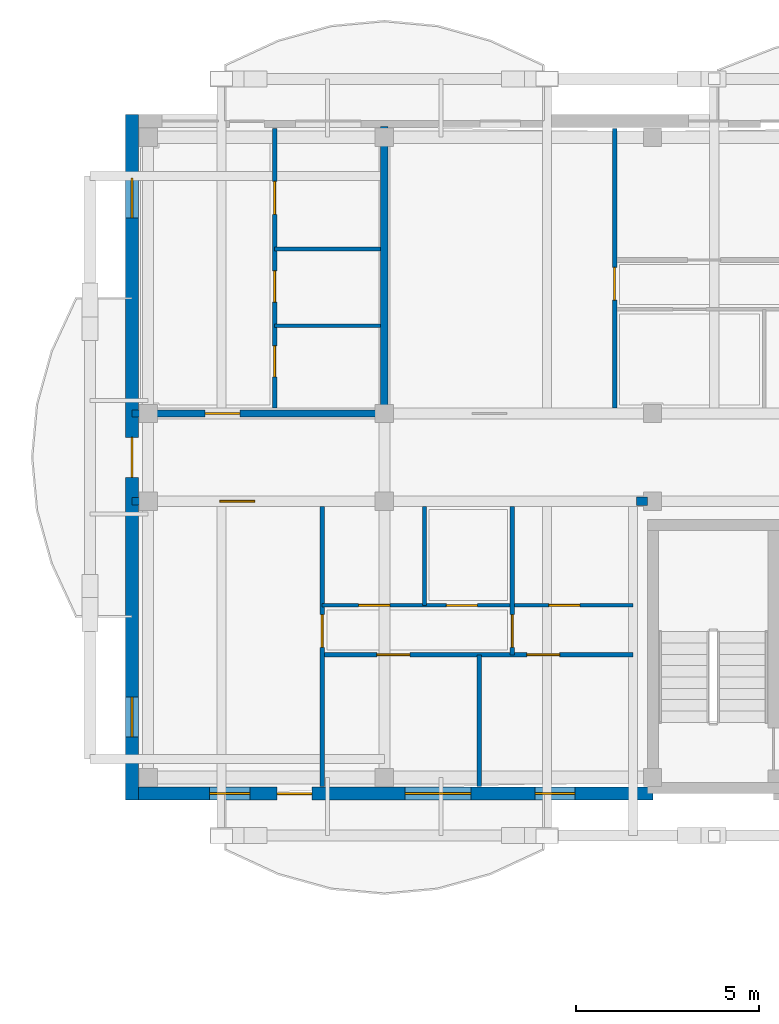
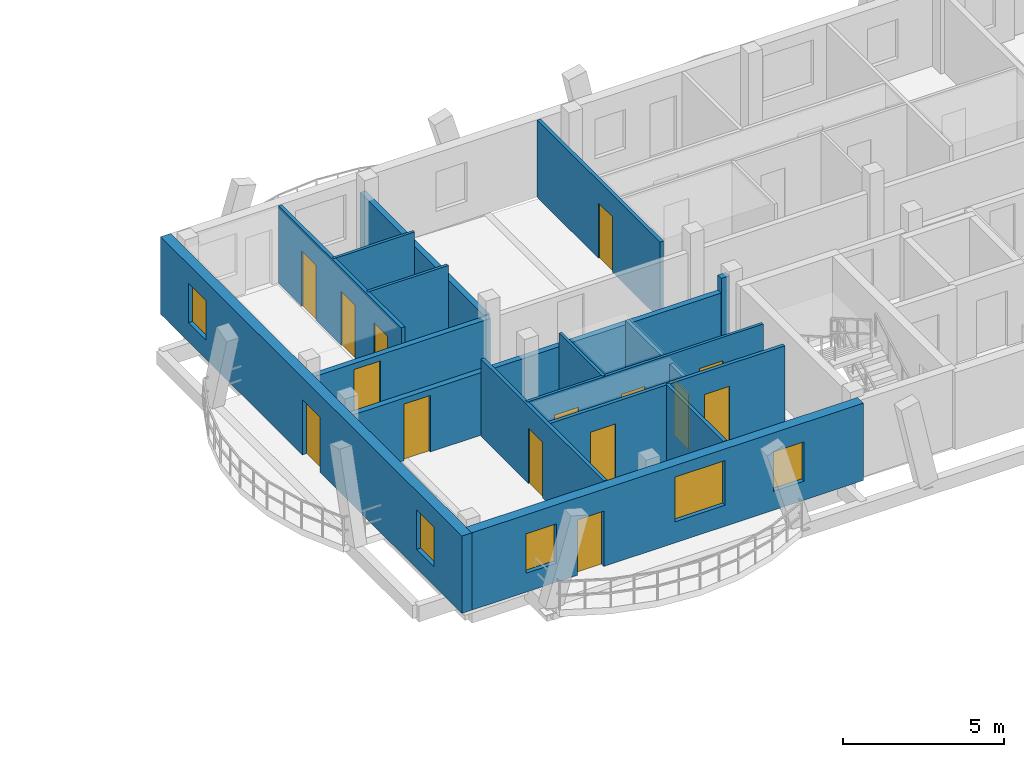
# One storey, part 29 of 50: 16 walls, 15 doors, 5 windows, 20 openings.
"""IFC4 building model written with IfcOpenShell, lengths in metres."""

from ifc_helpers import new_model, si_unit, direction, frame, frame_2d, origin, origin_with_axes, place, context, subcontext, project, spatial, rectangle, extrude, material, layer, layer_set, type_object, element, fill, save


model = new_model("IFC4")

# Units and contexts
model_context = context("Model", 3, precision=1e-05, world=origin(), true_north=direction((0.0, 1.0)))
body_context = subcontext(model_context, "Body", "Model", "MODEL_VIEW")
ifc_project = project(units=[si_unit("LENGTHUNIT", "METRE"), si_unit("AREAUNIT", "SQUARE_METRE"), si_unit("VOLUMEUNIT", "CUBIC_METRE"), si_unit("PLANEANGLEUNIT", "RADIAN"), si_unit("MASSUNIT", "GRAM", prefix="KILO")], contexts=[model_context])

# Site, building, storey
site_placement = place(None, origin())
site = spatial("IfcSite", under=ifc_project, at=site_placement, CompositionType="ELEMENT")
building_placement = place(site_placement, origin())
building = spatial("IfcBuilding", under=site, at=building_placement, Name="Zavelmont Quarter", CompositionType="ELEMENT")
storey_placement = place(building_placement, frame((0.0, 0.0, 11.199951171875)))
storey = spatial("IfcBuildingStorey", under=building, at=storey_placement, Name="L03", CompositionType="ELEMENT", Elevation=11.199951171875)

# Wall, openings, door, windows
ifc_material_1 = material(Name="Natural Belgian limestone", Category="masonry")
ifc_layer_1 = layer(ifc_material_1, 0.360107421875)
ifc_layer_set_1 = layer_set([ifc_layer_1], Name="Natural Belgian limestone")
wall_type_1 = type_object("IfcWallType", Name="EW02", PredefinedType="STANDARD", material=ifc_layer_set_1)
wall_1_placement = place(storey_placement, frame((112.969970703125, 97.60009765625, 0.0), z_axis=(0.0, 0.0, 1.0), x_axis=(1.0, 0.0, 0.0)))
wall_1 = element("IfcWall", 1, at=wall_1_placement, inside=storey, type_object=wall_type_1, Name="L03 exterior limestone wall EW02", PredefinedType="STANDARD", context=body_context, shape_type="SweptSolid", body=[
    extrude(rectangle(XDim=14.080078125, YDim=0.360107421875, at=frame_2d((7.0400390625, 0.0))), origin(), (0.0, 0.0, 1.0), 2.93994140625),
])
opening_1_placement = place(wall_1_placement, frame((3.797119140625, 0.0, 0.0)))
opening_1 = element("IfcOpeningElement", 2, at=opening_1_placement, cuts=wall_1, Name="Opening DR04", PredefinedType="OPENING", context=body_context, shape_type="SweptSolid", body=[
    extrude(rectangle(XDim=0.949951171875, YDim=2.10009765625, at=frame_2d((0.47509765625, 1.050048828125))), frame((0.0, 0.19189453125, 0.0), z_axis=(0.0, -1.0, 0.0), x_axis=(1.0, 0.0, 0.0)), (0.0, 0.0, 1.0), 0.384033203125),
])
opening_2_placement = place(wall_1_placement, frame((1.949951171875, 0.0, 0.719970703125)))
opening_2 = element("IfcOpeningElement", 3, at=opening_2_placement, cuts=wall_1, Name="Opening WN09", PredefinedType="OPENING", context=body_context, shape_type="SweptSolid", body=[
    extrude(rectangle(XDim=1.10009765625, YDim=1.5, at=frame_2d((0.550048828125, 0.75))), frame((0.0, 0.19189453125, 0.0), z_axis=(0.0, -1.0, 0.0), x_axis=(1.0, 0.0, 0.0)), (0.0, 0.0, 1.0), 0.384033203125),
])
opening_3_placement = place(wall_1_placement, frame((7.300048828125, 0.0, 0.800048828125)))
opening_3 = element("IfcOpeningElement", 4, at=opening_3_placement, cuts=wall_1, Name="Opening WN02", PredefinedType="OPENING", context=body_context, shape_type="SweptSolid", body=[
    extrude(rectangle(XDim=1.800048828125, YDim=1.699951171875, at=frame_2d((0.89990234375, 0.85009765625))), frame((0.0, 0.19189453125, 0.0), z_axis=(0.0, -1.0, 0.0), x_axis=(1.0, 0.0, 0.0)), (0.0, 0.0, 1.0), 0.384033203125),
])
opening_4_placement = place(wall_1_placement, frame((10.85009765625, 0.0, 0.719970703125)))
opening_4 = element("IfcOpeningElement", 5, at=opening_4_placement, cuts=wall_1, Name="Opening WN09", PredefinedType="OPENING", context=body_context, shape_type="SweptSolid", body=[
    extrude(rectangle(XDim=1.10009765625, YDim=1.5, at=frame_2d((0.550048828125, 0.75))), frame((0.0, 0.19189453125, 0.0), z_axis=(0.0, -1.0, 0.0), x_axis=(1.0, 0.0, 0.0)), (0.0, 0.0, 1.0), 0.384033203125),
])
ifc_material_2 = material(Name="Thermally broken aluminium and double safety glass", Category="aluminium")
door_type_1 = type_object("IfcDoorType", Name="DR04", OperationType="NOTDEFINED", PredefinedType="DOOR", material=ifc_material_2)
door_1_placement = place(opening_1_placement, origin_with_axes())
door_1 = element("IfcDoor", 6, at=door_1_placement, inside=storey, type_object=door_type_1, Name="Block C L03 glazed balcony door", OperationType="SINGLE_SWING_RIGHT", OverallHeight=2.10009765625, OverallWidth=0.949951171875, PredefinedType="DOOR", context=body_context, shape_type="SweptSolid", body=[
    extrude(rectangle(XDim=0.949951171875, YDim=2.10009765625, at=frame_2d((0.47509765625, 1.050048828125))), frame((0.0, 0.02490234375, 0.0), z_axis=(0.0, -1.0, 0.0), x_axis=(1.0, 0.0, 0.0)), (0.0, 0.0, 1.0), 0.050048828125),
])
fill(opening_1, door_1)
ifc_material_3 = material(Name="Double low-E insulated glazing in thermally broken aluminium frame", Category="aluminium")
window_type_1 = type_object("IfcWindowType", Name="WN02", PartitioningType="SINGLE_PANEL", PredefinedType="WINDOW", material=ifc_material_3)
window_1_placement = place(opening_3_placement, origin_with_axes())
window_1 = element("IfcWindow", 7, at=window_1_placement, inside=storey, type_object=window_type_1, Name="L03 window WN02", OverallHeight=1.699951171875, OverallWidth=1.800048828125, PartitioningType="SINGLE_PANEL", PredefinedType="WINDOW", context=body_context, shape_type="SweptSolid", body=[
    extrude(rectangle(XDim=1.800048828125, YDim=1.699951171875, at=frame_2d((0.89990234375, 0.85009765625))), frame((0.0, 0.030029296875, 0.0), z_axis=(0.0, -1.0, 0.0), x_axis=(1.0, 0.0, 0.0)), (0.0, 0.0, 1.0), 0.06005859375),
])
fill(opening_3, window_1)
window_type_2 = type_object("IfcWindowType", Name="WN09", PartitioningType="SINGLE_PANEL", PredefinedType="WINDOW", material=ifc_material_3)
window_2_placement = place(opening_2_placement, origin_with_axes())
window_2 = element("IfcWindow", 8, at=window_2_placement, inside=storey, type_object=window_type_2, Name="L03 window WN09", OverallHeight=1.5, OverallWidth=1.10009765625, PartitioningType="SINGLE_PANEL", PredefinedType="WINDOW", context=body_context, shape_type="SweptSolid", body=[
    extrude(rectangle(XDim=1.10009765625, YDim=1.5, at=frame_2d((0.550048828125, 0.75))), frame((0.0, 0.030029296875, 0.0), z_axis=(0.0, -1.0, 0.0), x_axis=(1.0, 0.0, 0.0)), (0.0, 0.0, 1.0), 0.06005859375),
])
fill(opening_2, window_2)
window_3_placement = place(opening_4_placement, origin_with_axes())
window_3 = element("IfcWindow", 9, at=window_3_placement, inside=storey, type_object=window_type_2, Name="L03 window WN09", OverallHeight=1.5, OverallWidth=1.10009765625, PartitioningType="SINGLE_PANEL", PredefinedType="WINDOW", context=body_context, shape_type="SweptSolid", body=[
    extrude(rectangle(XDim=1.10009765625, YDim=1.5, at=frame_2d((0.550048828125, 0.75))), frame((0.0, 0.030029296875, 0.0), z_axis=(0.0, -1.0, 0.0), x_axis=(1.0, 0.0, 0.0)), (0.0, 0.0, 1.0), 0.06005859375),
])
fill(opening_4, window_3)

wall_2_placement = place(storey_placement, frame((112.800048828125, 97.419921875, 0.0), z_axis=(0.0, 0.0, 1.0), x_axis=(0.0, 1.0, 0.0)))
wall_2 = element("IfcWall", 10, at=wall_2_placement, inside=storey, type_object=wall_type_1, Name="L03 exterior limestone wall EW02", PredefinedType="STANDARD", context=body_context, shape_type="SweptSolid", body=[
    extrude(rectangle(XDim=18.760009765625, YDim=0.360107421875, at=frame_2d((9.3798828125, 0.0))), origin(), (0.0, 0.0, 1.0), 2.93994140625),
])
opening_5_placement = place(wall_2_placement, frame((8.830078125, 0.0, 0.0)))
opening_5 = element("IfcOpeningElement", 11, at=opening_5_placement, cuts=wall_2, Name="Opening DR04B", PredefinedType="OPENING", context=body_context, shape_type="SweptSolid", body=[
    extrude(rectangle(XDim=1.10009765625, YDim=2.10009765625, at=frame_2d((0.550048828125, 1.050048828125))), frame((0.0, 0.19189453125, 0.0), z_axis=(0.0, -1.0, 0.0), x_axis=(1.0, 0.0, 0.0)), (0.0, 0.0, 1.0), 0.384033203125),
])
opening_6_placement = place(wall_2_placement, frame((1.72998046875, 0.0, 0.719970703125)))
opening_6 = element("IfcOpeningElement", 12, at=opening_6_placement, cuts=wall_2, Name="Opening WN09", PredefinedType="OPENING", context=body_context, shape_type="SweptSolid", body=[
    extrude(rectangle(XDim=1.10009765625, YDim=1.5, at=frame_2d((0.550048828125, 0.75))), frame((0.0, 0.19189453125, 0.0), z_axis=(0.0, -1.0, 0.0), x_axis=(1.0, 0.0, 0.0)), (0.0, 0.0, 1.0), 0.384033203125),
])
opening_7_placement = place(wall_2_placement, frame((15.929931640625, 0.0, 0.719970703125)))
opening_7 = element("IfcOpeningElement", 13, at=opening_7_placement, cuts=wall_2, Name="Opening WN09", PredefinedType="OPENING", context=body_context, shape_type="SweptSolid", body=[
    extrude(rectangle(XDim=1.10009765625, YDim=1.5, at=frame_2d((0.550048828125, 0.75))), frame((0.0, 0.19189453125, 0.0), z_axis=(0.0, -1.0, 0.0), x_axis=(1.0, 0.0, 0.0)), (0.0, 0.0, 1.0), 0.384033203125),
])
door_type_2 = type_object("IfcDoorType", Name="DR04B", OperationType="NOTDEFINED", PredefinedType="DOOR", material=ifc_material_2)
door_2_placement = place(opening_5_placement, frame((1.10009765625, 0.0, 0.0), z_axis=(0.0, 0.0, 1.0), x_axis=(-1.0, 0.0, 0.0)))
door_2 = element("IfcDoor", 14, at=door_2_placement, inside=storey, type_object=door_type_2, Name="Block C L03 terrace or vase balcony door", OperationType="SINGLE_SWING_LEFT", OverallHeight=2.10009765625, OverallWidth=1.10009765625, PredefinedType="DOOR", context=body_context, shape_type="SweptSolid", body=[
    extrude(rectangle(XDim=1.10009765625, YDim=2.10009765625, at=frame_2d((0.550048828125, 1.050048828125))), frame((0.0, 0.02490234375, 0.0), z_axis=(0.0, -1.0, 0.0), x_axis=(1.0, 0.0, 0.0)), (0.0, 0.0, 1.0), 0.050048828125),
])
fill(opening_5, door_2)
window_4_placement = place(opening_6_placement, origin_with_axes())
window_4 = element("IfcWindow", 15, at=window_4_placement, inside=storey, type_object=window_type_2, Name="L03 window WN09", OverallHeight=1.5, OverallWidth=1.10009765625, PartitioningType="SINGLE_PANEL", PredefinedType="WINDOW", context=body_context, shape_type="SweptSolid", body=[
    extrude(rectangle(XDim=1.10009765625, YDim=1.5, at=frame_2d((0.550048828125, 0.75))), frame((0.0, 0.030029296875, 0.0), z_axis=(0.0, -1.0, 0.0), x_axis=(1.0, 0.0, 0.0)), (0.0, 0.0, 1.0), 0.06005859375),
])
fill(opening_6, window_4)
window_5_placement = place(opening_7_placement, origin_with_axes())
window_5 = element("IfcWindow", 16, at=window_5_placement, inside=storey, type_object=window_type_2, Name="L03 window WN09", OverallHeight=1.5, OverallWidth=1.10009765625, PartitioningType="SINGLE_PANEL", PredefinedType="WINDOW", context=body_context, shape_type="SweptSolid", body=[
    extrude(rectangle(XDim=1.10009765625, YDim=1.5, at=frame_2d((0.550048828125, 0.75))), frame((0.0, 0.030029296875, 0.0), z_axis=(0.0, -1.0, 0.0), x_axis=(1.0, 0.0, 0.0)), (0.0, 0.0, 1.0), 0.06005859375),
])
fill(opening_7, window_5)

# Wall
ifc_material_4 = material(Name="Calcium-silicate blockwork and acoustic plaster", Category="masonry")
ifc_layer_2 = layer(ifc_material_4, 0.199951171875)
ifc_layer_set_2 = layer_set([ifc_layer_2], Name="Calcium-silicate blockwork and acoustic plaster")
wall_type_2 = type_object("IfcWallType", Name="IW01", PredefinedType="PARTITIONING", material=ifc_layer_set_2)
wall_3_placement = place(storey_placement, frame((119.699951171875, 108.14990234375, 0.0), z_axis=(0.0, 0.0, 1.0), x_axis=(0.0, 1.0, 0.0)))
element("IfcWall", 17, at=wall_3_placement, inside=storey, type_object=wall_type_2, Name="L03 Inter-dwelling compartment wall IW01", PredefinedType="PARTITIONING", context=body_context, shape_type="SweptSolid", body=[
    extrude(rectangle(XDim=7.7001953125, YDim=0.199951171875, at=frame_2d((3.85009765625, 0.0))), origin(), (0.0, 0.0, 1.0), 2.380126953125),
])

# Wall, opening, door
wall_4_placement = place(storey_placement, frame((112.800048828125, 108.0, 0.0), z_axis=(0.0, 0.0, 1.0), x_axis=(1.0, 0.0, 0.0)))
wall_4 = element("IfcWall", 18, at=wall_4_placement, inside=storey, type_object=wall_type_2, Name="L03 Corridor compartment wall IW01", PredefinedType="PARTITIONING", context=body_context, shape_type="SweptSolid", body=[
    extrude(rectangle(XDim=6.89990234375, YDim=0.199951171875, at=frame_2d((3.449951171875, 0.0))), origin(), (0.0, 0.0, 1.0), 2.380126953125),
])
opening_8_placement = place(wall_4_placement, frame((2.0, 0.0, 0.0)))
opening_8 = element("IfcOpeningElement", 19, at=opening_8_placement, cuts=wall_4, Name="Opening DR02", PredefinedType="OPENING", context=body_context, shape_type="SweptSolid", body=[
    extrude(rectangle(XDim=0.949951171875, YDim=2.14990234375, at=frame_2d((0.47509765625, 1.074951171875))), frame((0.0, 0.11181640625, 0.0), z_axis=(0.0, -1.0, 0.0), x_axis=(1.0, 0.0, 0.0)), (0.0, 0.0, 1.0), 0.223876953125),
])
ifc_material_5 = material(Name="Solid-core oak fire leaf in steel frame", Category="steel")
door_type_3 = type_object("IfcDoorType", Name="DR02", OperationType="NOTDEFINED", PredefinedType="DOOR", material=ifc_material_5)
door_3_placement = place(opening_8_placement, origin_with_axes())
door_3 = element("IfcDoor", 20, at=door_3_placement, inside=storey, type_object=door_type_3, Name="L03 door DR02", OperationType="SINGLE_SWING_LEFT", OverallHeight=2.14990234375, OverallWidth=0.949951171875, PredefinedType="DOOR", context=body_context, shape_type="SweptSolid", body=[
    extrude(rectangle(XDim=0.949951171875, YDim=2.14990234375, at=frame_2d((0.47509765625, 1.074951171875))), frame((0.0, 0.02490234375, 0.0), z_axis=(0.0, -1.0, 0.0), x_axis=(1.0, 0.0, 0.0)), (0.0, 0.0, 1.0), 0.050048828125),
])
fill(opening_8, door_3)

wall_5_placement = place(storey_placement, frame((112.800048828125, 105.60009765625, 0.0), z_axis=(0.0, 0.0, 1.0), x_axis=(1.0, 0.0, 0.0)))
wall_5 = element("IfcWall", 21, at=wall_5_placement, inside=storey, type_object=wall_type_2, Name="L03 Corridor compartment wall IW01", PredefinedType="PARTITIONING", context=body_context, shape_type="SweptSolid", body=[
    extrude(rectangle(XDim=13.800048828125, YDim=0.199951171875, at=frame_2d((6.89990234375, 0.0))), origin(), (0.0, 0.0, 1.0), 2.380126953125),
])
opening_9_placement = place(wall_5_placement, frame((2.39990234375, 0.0, 0.0)))
opening_9 = element("IfcOpeningElement", 22, at=opening_9_placement, cuts=wall_5, Name="Opening DR02", PredefinedType="OPENING", context=body_context, shape_type="SweptSolid", body=[
    extrude(rectangle(XDim=0.949951171875, YDim=2.14990234375, at=frame_2d((0.47509765625, 1.074951171875))), frame((0.0, 0.11181640625, 0.0), z_axis=(0.0, -1.0, 0.0), x_axis=(1.0, 0.0, 0.0)), (0.0, 0.0, 1.0), 0.223876953125),
])
door_4_placement = place(opening_9_placement, frame((0.949951171875, 0.0, 0.0), z_axis=(0.0, 0.0, 1.0), x_axis=(-1.0, 0.0, 0.0)))
door_4 = element("IfcDoor", 23, at=door_4_placement, inside=storey, type_object=door_type_3, Name="L03 door DR02", OperationType="SINGLE_SWING_RIGHT", OverallHeight=2.14990234375, OverallWidth=0.949951171875, PredefinedType="DOOR", context=body_context, shape_type="SweptSolid", body=[
    extrude(rectangle(XDim=0.949951171875, YDim=2.14990234375, at=frame_2d((0.47509765625, 1.074951171875))), frame((0.0, 0.02490234375, 0.0), z_axis=(0.0, -1.0, 0.0), x_axis=(1.0, 0.0, 0.0)), (0.0, 0.0, 1.0), 0.050048828125),
])
fill(opening_9, door_4)

# Wall
ifc_material_6 = material(Name="Reinforced masonry fire compartment wall", Category="masonry")
ifc_layer_3 = layer(ifc_material_6, 0.22509765625)
ifc_layer_set_3 = layer_set([ifc_layer_3], Name="Reinforced masonry fire compartment wall")
wall_type_3 = type_object("IfcWallType", Name="IW02", PredefinedType="PARTITIONING", material=ifc_layer_set_3)
wall_6_placement = place(storey_placement, frame((126.60009765625, 105.60009765625, 0.0), z_axis=(0.0, 0.0, 1.0), x_axis=(1.0, 0.0, 0.0)))
element("IfcWall", 24, at=wall_6_placement, inside=storey, type_object=wall_type_3, Name="L03 Core corridor wall IW02", PredefinedType="PARTITIONING", context=body_context, shape_type="SweptSolid", body=[
    extrude(rectangle(XDim=0.2998046875, YDim=0.22509765625, at=frame_2d((0.14990234375, 0.0))), origin(), (0.0, 0.0, 1.0), 2.93994140625),
])

# Wall, openings, doors
ifc_material_7 = material(Name="Double gypsum board on acoustic steel stud", Category="steel")
ifc_layer_4 = layer(ifc_material_7, 0.125)
ifc_layer_set_4 = layer_set([ifc_layer_4], Name="Double gypsum board on acoustic steel stud")
wall_type_4 = type_object("IfcWallType", Name="IW03", PredefinedType="PARTITIONING", material=ifc_layer_set_4)
wall_7_placement = place(storey_placement, frame((116.699951171875, 108.14990234375, 0.0), z_axis=(0.0, 0.0, 1.0), x_axis=(0.0, 1.0, 0.0)))
wall_7 = element("IfcWall", 25, at=wall_7_placement, inside=storey, type_object=wall_type_4, Name="L03 Partition IW03", PredefinedType="PARTITIONING", context=body_context, shape_type="SweptSolid", body=[
    extrude(rectangle(XDim=7.650146484375, YDim=0.125, at=frame_2d((3.8251953125, 0.0))), origin(), (0.0, 0.0, 1.0), 2.93994140625),
])
opening_10_placement = place(wall_7_placement, frame((0.85009765625, 0.0, 0.0)))
opening_10 = element("IfcOpeningElement", 26, at=opening_10_placement, cuts=wall_7, Name="Opening DR16", PredefinedType="OPENING", context=body_context, shape_type="SweptSolid", body=[
    extrude(rectangle(XDim=0.85009765625, YDim=2.10009765625, at=frame_2d((0.425048828125, 1.050048828125))), frame((0.0, 0.074462890625, 0.0), z_axis=(0.0, -1.0, 0.0), x_axis=(1.0, 0.0, 0.0)), (0.0, 0.0, 1.0), 0.14892578125),
])
opening_11_placement = place(wall_7_placement, frame((2.89990234375, 0.0, 0.0)))
opening_11 = element("IfcOpeningElement", 27, at=opening_11_placement, cuts=wall_7, Name="Opening DR06", PredefinedType="OPENING", context=body_context, shape_type="SweptSolid", body=[
    extrude(rectangle(XDim=0.85009765625, YDim=2.050048828125, at=frame_2d((0.425048828125, 1.02490234375))), frame((0.0, 0.074462890625, 0.0), z_axis=(0.0, -1.0, 0.0), x_axis=(1.0, 0.0, 0.0)), (0.0, 0.0, 1.0), 0.14892578125),
])
opening_12_placement = place(wall_7_placement, frame((5.300048828125, 0.0, 0.0)))
opening_12 = element("IfcOpeningElement", 28, at=opening_12_placement, cuts=wall_7, Name="Opening DR05", PredefinedType="OPENING", context=body_context, shape_type="SweptSolid", body=[
    extrude(rectangle(XDim=0.89990234375, YDim=2.10009765625, at=frame_2d((0.449951171875, 1.050048828125))), frame((0.0, 0.074462890625, 0.0), z_axis=(0.0, -1.0, 0.0), x_axis=(1.0, 0.0, 0.0)), (0.0, 0.0, 1.0), 0.14892578125),
])
ifc_material_8 = material(Name="Engineered oak flush interior door")
door_type_4 = type_object("IfcDoorType", Name="DR05", OperationType="NOTDEFINED", PredefinedType="DOOR", material=ifc_material_8)
door_5_placement = place(opening_12_placement, origin_with_axes())
door_5 = element("IfcDoor", 29, at=door_5_placement, inside=storey, type_object=door_type_4, Name="L03 door DR05", OperationType="SINGLE_SWING_LEFT", OverallHeight=2.10009765625, OverallWidth=0.89990234375, PredefinedType="DOOR", context=body_context, shape_type="SweptSolid", body=[
    extrude(rectangle(XDim=0.89990234375, YDim=2.10009765625, at=frame_2d((0.449951171875, 1.050048828125))), frame((0.0, 0.02490234375, 0.0), z_axis=(0.0, -1.0, 0.0), x_axis=(1.0, 0.0, 0.0)), (0.0, 0.0, 1.0), 0.050048828125),
])
fill(opening_12, door_5)
ifc_material_9 = material(Name="Moisture-resistant painted wet-room door")
door_type_5 = type_object("IfcDoorType", Name="DR06", OperationType="NOTDEFINED", PredefinedType="DOOR", material=ifc_material_9)
door_6_placement = place(opening_11_placement, frame((0.85009765625, 0.0, 0.0), z_axis=(0.0, 0.0, 1.0), x_axis=(-1.0, 0.0, 0.0)))
door_6 = element("IfcDoor", 30, at=door_6_placement, inside=storey, type_object=door_type_5, Name="L03 door DR06", OperationType="SINGLE_SWING_RIGHT", OverallHeight=2.050048828125, OverallWidth=0.85009765625, PredefinedType="DOOR", context=body_context, shape_type="SweptSolid", body=[
    extrude(rectangle(XDim=0.85009765625, YDim=2.050048828125, at=frame_2d((0.425048828125, 1.02490234375))), frame((0.0, 0.02490234375, 0.0), z_axis=(0.0, -1.0, 0.0), x_axis=(1.0, 0.0, 0.0)), (0.0, 0.0, 1.0), 0.050048828125),
])
fill(opening_11, door_6)
door_type_6 = type_object("IfcDoorType", Name="DR16", OperationType="NOTDEFINED", PredefinedType="DOOR", material=ifc_material_8)
door_7_placement = place(opening_10_placement, origin_with_axes())
door_7 = element("IfcDoor", 31, at=door_7_placement, inside=storey, type_object=door_type_6, Name="L03 door DR16", OperationType="SINGLE_SWING_LEFT", OverallHeight=2.10009765625, OverallWidth=0.85009765625, PredefinedType="DOOR", context=body_context, shape_type="SweptSolid", body=[
    extrude(rectangle(XDim=0.85009765625, YDim=2.10009765625, at=frame_2d((0.425048828125, 1.050048828125))), frame((0.0, 0.02490234375, 0.0), z_axis=(0.0, -1.0, 0.0), x_axis=(1.0, 0.0, 0.0)), (0.0, 0.0, 1.0), 0.050048828125),
])
fill(opening_10, door_7)

# Wall, opening, door
wall_8_placement = place(storey_placement, frame((126.0, 108.14990234375, 0.0), z_axis=(0.0, 0.0, 1.0), x_axis=(0.0, 1.0, 0.0)))
wall_8 = element("IfcWall", 32, at=wall_8_placement, inside=storey, type_object=wall_type_4, Name="L03 Partition IW03", PredefinedType="PARTITIONING", context=body_context, shape_type="SweptSolid", body=[
    extrude(rectangle(XDim=7.650146484375, YDim=0.125, at=frame_2d((3.8251953125, 0.0))), origin(), (0.0, 0.0, 1.0), 2.93994140625),
])
opening_13_placement = place(wall_8_placement, frame((2.949951171875, 0.0, 0.0)))
opening_13 = element("IfcOpeningElement", 33, at=opening_13_placement, cuts=wall_8, Name="Opening DR05", PredefinedType="OPENING", context=body_context, shape_type="SweptSolid", body=[
    extrude(rectangle(XDim=0.89990234375, YDim=2.10009765625, at=frame_2d((0.449951171875, 1.050048828125))), frame((0.0, 0.074462890625, 0.0), z_axis=(0.0, -1.0, 0.0), x_axis=(1.0, 0.0, 0.0)), (0.0, 0.0, 1.0), 0.14892578125),
])
door_8_placement = place(opening_13_placement, origin_with_axes())
door_8 = element("IfcDoor", 34, at=door_8_placement, inside=storey, type_object=door_type_4, Name="L03 door DR05", OperationType="SINGLE_SWING_RIGHT", OverallHeight=2.10009765625, OverallWidth=0.89990234375, PredefinedType="DOOR", context=body_context, shape_type="SweptSolid", body=[
    extrude(rectangle(XDim=0.89990234375, YDim=2.10009765625, at=frame_2d((0.449951171875, 1.050048828125))), frame((0.0, 0.02490234375, 0.0), z_axis=(0.0, -1.0, 0.0), x_axis=(1.0, 0.0, 0.0)), (0.0, 0.0, 1.0), 0.050048828125),
])
fill(opening_13, door_8)

wall_9_placement = place(storey_placement, frame((118.0, 105.449951171875, 0.0), z_axis=(0.0, 0.0, 1.0), x_axis=(0.0, -1.0, 0.0)))
wall_9 = element("IfcWall", 35, at=wall_9_placement, inside=storey, type_object=wall_type_4, Name="L03 Partition IW03", PredefinedType="PARTITIONING", context=body_context, shape_type="SweptSolid", body=[
    extrude(rectangle(XDim=7.64990234375, YDim=0.125, at=frame_2d((3.824951171875, 0.0))), origin(), (0.0, 0.0, 1.0), 2.93994140625),
])
opening_14_placement = place(wall_9_placement, frame((2.949951171875, 0.0, 0.0)))
opening_14 = element("IfcOpeningElement", 36, at=opening_14_placement, cuts=wall_9, Name="Opening DR05", PredefinedType="OPENING", context=body_context, shape_type="SweptSolid", body=[
    extrude(rectangle(XDim=0.89990234375, YDim=2.10009765625, at=frame_2d((0.449951171875, 1.050048828125))), frame((0.0, 0.074462890625, 0.0), z_axis=(0.0, -1.0, 0.0), x_axis=(1.0, 0.0, 0.0)), (0.0, 0.0, 1.0), 0.14892578125),
])
door_9_placement = place(opening_14_placement, frame((0.89990234375, 0.0, 0.0), z_axis=(0.0, 0.0, 1.0), x_axis=(-1.0, 0.0, 0.0)))
door_9 = element("IfcDoor", 37, at=door_9_placement, inside=storey, type_object=door_type_4, Name="L03 door DR05", OperationType="SINGLE_SWING_RIGHT", OverallHeight=2.10009765625, OverallWidth=0.89990234375, PredefinedType="DOOR", context=body_context, shape_type="SweptSolid", body=[
    extrude(rectangle(XDim=0.89990234375, YDim=2.10009765625, at=frame_2d((0.449951171875, 1.050048828125))), frame((0.0, 0.02490234375, 0.0), z_axis=(0.0, -1.0, 0.0), x_axis=(1.0, 0.0, 0.0)), (0.0, 0.0, 1.0), 0.050048828125),
])
fill(opening_14, door_9)

wall_10_placement = place(storey_placement, frame((123.199951171875, 105.449951171875, 0.0), z_axis=(0.0, 0.0, 1.0), x_axis=(0.0, -1.0, 0.0)))
wall_10 = element("IfcWall", 38, at=wall_10_placement, inside=storey, type_object=wall_type_4, Name="L03 Partition IW03", PredefinedType="PARTITIONING", context=body_context, shape_type="SweptSolid", body=[
    extrude(rectangle(XDim=4.050048828125, YDim=0.125, at=frame_2d((2.02490234375, 0.0))), origin(), (0.0, 0.0, 1.0), 2.590087890625),
])
opening_15_placement = place(wall_10_placement, frame((2.949951171875, 0.0, 0.0)))
opening_15 = element("IfcOpeningElement", 39, at=opening_15_placement, cuts=wall_10, Name="Opening DR05", PredefinedType="OPENING", context=body_context, shape_type="SweptSolid", body=[
    extrude(rectangle(XDim=0.89990234375, YDim=2.10009765625, at=frame_2d((0.449951171875, 1.050048828125))), frame((0.0, 0.074462890625, 0.0), z_axis=(0.0, -1.0, 0.0), x_axis=(1.0, 0.0, 0.0)), (0.0, 0.0, 1.0), 0.14892578125),
])
door_10_placement = place(opening_15_placement, origin_with_axes())
door_10 = element("IfcDoor", 40, at=door_10_placement, inside=storey, type_object=door_type_4, Name="L03 door DR05", OperationType="SINGLE_SWING_LEFT", OverallHeight=2.10009765625, OverallWidth=0.89990234375, PredefinedType="DOOR", context=body_context, shape_type="SweptSolid", body=[
    extrude(rectangle(XDim=0.89990234375, YDim=2.10009765625, at=frame_2d((0.449951171875, 1.050048828125))), frame((0.0, 0.02490234375, 0.0), z_axis=(0.0, -1.0, 0.0), x_axis=(1.0, 0.0, 0.0)), (0.0, 0.0, 1.0), 0.050048828125),
])
fill(opening_15, door_10)

# Wall
wall_11_placement = place(storey_placement, frame((122.300048828125, 101.39990234375, 0.0), z_axis=(0.0, 0.0, 1.0), x_axis=(0.0, -1.0, 0.0)))
element("IfcWall", 41, at=wall_11_placement, inside=storey, type_object=wall_type_4, Name="L03 Partition IW03", PredefinedType="PARTITIONING", context=body_context, shape_type="SweptSolid", body=[
    extrude(rectangle(XDim=3.599853515625, YDim=0.125, at=frame_2d((1.7998046875, 0.0))), origin(), (0.0, 0.0, 1.0), 2.93994140625),
])

# Wall, openings, doors
wall_12_placement = place(storey_placement, frame((118.0, 101.39990234375, 0.0), z_axis=(0.0, 0.0, 1.0), x_axis=(1.0, 0.0, 0.0)))
wall_12 = element("IfcWall", 42, at=wall_12_placement, inside=storey, type_object=wall_type_4, Name="L03 Partition IW03", PredefinedType="PARTITIONING", context=body_context, shape_type="SweptSolid", body=[
    extrude(rectangle(XDim=8.5, YDim=0.125, at=frame_2d((4.25, 0.0))), origin(), (0.0, 0.0, 1.0), 2.93994140625),
])
opening_16_placement = place(wall_12_placement, frame((1.5, 0.0, 0.0)))
opening_16 = element("IfcOpeningElement", 43, at=opening_16_placement, cuts=wall_12, Name="Opening DR05", PredefinedType="OPENING", context=body_context, shape_type="SweptSolid", body=[
    extrude(rectangle(XDim=0.89990234375, YDim=2.10009765625, at=frame_2d((0.449951171875, 1.050048828125))), frame((0.0, 0.074462890625, 0.0), z_axis=(0.0, -1.0, 0.0), x_axis=(1.0, 0.0, 0.0)), (0.0, 0.0, 1.0), 0.14892578125),
])
opening_17_placement = place(wall_12_placement, frame((5.60009765625, 0.0, 0.0)))
opening_17 = element("IfcOpeningElement", 44, at=opening_17_placement, cuts=wall_12, Name="Opening DR05", PredefinedType="OPENING", context=body_context, shape_type="SweptSolid", body=[
    extrude(rectangle(XDim=0.89990234375, YDim=2.10009765625, at=frame_2d((0.449951171875, 1.050048828125))), frame((0.0, 0.074462890625, 0.0), z_axis=(0.0, -1.0, 0.0), x_axis=(1.0, 0.0, 0.0)), (0.0, 0.0, 1.0), 0.14892578125),
])
door_11_placement = place(opening_16_placement, origin_with_axes())
door_11 = element("IfcDoor", 45, at=door_11_placement, inside=storey, type_object=door_type_4, Name="L03 door DR05", OperationType="SINGLE_SWING_LEFT", OverallHeight=2.10009765625, OverallWidth=0.89990234375, PredefinedType="DOOR", context=body_context, shape_type="SweptSolid", body=[
    extrude(rectangle(XDim=0.89990234375, YDim=2.10009765625, at=frame_2d((0.449951171875, 1.050048828125))), frame((0.0, 0.02490234375, 0.0), z_axis=(0.0, -1.0, 0.0), x_axis=(1.0, 0.0, 0.0)), (0.0, 0.0, 1.0), 0.050048828125),
])
fill(opening_16, door_11)
door_12_placement = place(opening_17_placement, frame((0.89990234375, 0.0, 0.0), z_axis=(0.0, 0.0, 1.0), x_axis=(-1.0, 0.0, 0.0)))
door_12 = element("IfcDoor", 46, at=door_12_placement, inside=storey, type_object=door_type_4, Name="L03 door DR05", OperationType="SINGLE_SWING_RIGHT", OverallHeight=2.10009765625, OverallWidth=0.89990234375, PredefinedType="DOOR", context=body_context, shape_type="SweptSolid", body=[
    extrude(rectangle(XDim=0.89990234375, YDim=2.10009765625, at=frame_2d((0.449951171875, 1.050048828125))), frame((0.0, 0.02490234375, 0.0), z_axis=(0.0, -1.0, 0.0), x_axis=(1.0, 0.0, 0.0)), (0.0, 0.0, 1.0), 0.050048828125),
])
fill(opening_17, door_12)

# Walls
ifc_material_10 = material(Name="Moisture-resistant gypsum board on steel stud", Category="steel")
ifc_layer_5 = layer(ifc_material_10, 0.10009765625)
ifc_layer_set_5 = layer_set([ifc_layer_5], Name="Moisture-resistant gypsum board on steel stud")
wall_type_5 = type_object("IfcWallType", Name="IW04", PredefinedType="PARTITIONING", material=ifc_layer_set_5)
for number, where, z_axis, x_axis, name in (
    (47, (116.699951171875, 110.39990234375, 0.0), (0.0, 0.0, 1.0), (1.0, 0.0, 0.0), "L03 Partition IW04"),
    (48, (116.699951171875, 112.5, 0.0), (0.0, 0.0, 1.0), (1.0, 0.0, 0.0), "L03 Partition IW04"),
):
    element("IfcWall", number, at=place(storey_placement, frame(where, z_axis=z_axis, x_axis=x_axis)), inside=storey, type_object=wall_type_5, Name=name, PredefinedType="PARTITIONING", context=body_context, shape_type="SweptSolid", body=[
        extrude(rectangle(XDim=2.900146484375, YDim=0.10009765625, at=frame_2d((1.4501953125, 0.0))), origin(), (0.0, 0.0, 1.0), 2.93994140625),
    ])
wall_13_placement = place(storey_placement, frame((120.800048828125, 105.449951171875, 0.0), z_axis=(0.0, 0.0, 1.0), x_axis=(0.0, -1.0, 0.0)))
element("IfcWall", 49, at=wall_13_placement, inside=storey, type_object=wall_type_5, Name="L03 Partition IW04", PredefinedType="PARTITIONING", context=body_context, shape_type="SweptSolid", body=[
    extrude(rectangle(XDim=2.699951171875, YDim=0.10009765625, at=frame_2d((1.35009765625, 0.0))), origin(), (0.0, 0.0, 1.0), 2.93994140625),
])

# Wall, openings, doors
wall_14_placement = place(storey_placement, frame((118.0, 102.75, 0.0), z_axis=(0.0, 0.0, 1.0), x_axis=(1.0, 0.0, 0.0)))
wall_14 = element("IfcWall", 50, at=wall_14_placement, inside=storey, type_object=wall_type_5, Name="L03 Partition IW04", PredefinedType="PARTITIONING", context=body_context, shape_type="SweptSolid", body=[
    extrude(rectangle(XDim=8.5, YDim=0.10009765625, at=frame_2d((4.25, 0.0))), origin(), (0.0, 0.0, 1.0), 2.93994140625),
])
opening_18_placement = place(wall_14_placement, frame((1.0, 0.0, 0.0)))
opening_18 = element("IfcOpeningElement", 51, at=opening_18_placement, cuts=wall_14, Name="Opening DR16", PredefinedType="OPENING", context=body_context, shape_type="SweptSolid", body=[
    extrude(rectangle(XDim=0.85009765625, YDim=2.10009765625, at=frame_2d((0.425048828125, 1.050048828125))), frame((0.0, 0.06201171875, 0.0), z_axis=(0.0, -1.0, 0.0), x_axis=(1.0, 0.0, 0.0)), (0.0, 0.0, 1.0), 0.1240234375),
])
opening_19_placement = place(wall_14_placement, frame((3.39990234375, 0.0, 0.0)))
opening_19 = element("IfcOpeningElement", 52, at=opening_19_placement, cuts=wall_14, Name="Opening DR06", PredefinedType="OPENING", context=body_context, shape_type="SweptSolid", body=[
    extrude(rectangle(XDim=0.85009765625, YDim=2.050048828125, at=frame_2d((0.425048828125, 1.02490234375))), frame((0.0, 0.06201171875, 0.0), z_axis=(0.0, -1.0, 0.0), x_axis=(1.0, 0.0, 0.0)), (0.0, 0.0, 1.0), 0.1240234375),
])
opening_20_placement = place(wall_14_placement, frame((6.199951171875, 0.0, 0.0)))
opening_20 = element("IfcOpeningElement", 53, at=opening_20_placement, cuts=wall_14, Name="Opening DR06", PredefinedType="OPENING", context=body_context, shape_type="SweptSolid", body=[
    extrude(rectangle(XDim=0.85009765625, YDim=2.050048828125, at=frame_2d((0.425048828125, 1.02490234375))), frame((0.0, 0.06201171875, 0.0), z_axis=(0.0, -1.0, 0.0), x_axis=(1.0, 0.0, 0.0)), (0.0, 0.0, 1.0), 0.1240234375),
])
door_13_placement = place(opening_19_placement, origin_with_axes())
door_13 = element("IfcDoor", 54, at=door_13_placement, inside=storey, type_object=door_type_5, Name="L03 door DR06", OperationType="SINGLE_SWING_LEFT", OverallHeight=2.050048828125, OverallWidth=0.85009765625, PredefinedType="DOOR", context=body_context, shape_type="SweptSolid", body=[
    extrude(rectangle(XDim=0.85009765625, YDim=2.050048828125, at=frame_2d((0.425048828125, 1.02490234375))), frame((0.0, 0.02490234375, 0.0), z_axis=(0.0, -1.0, 0.0), x_axis=(1.0, 0.0, 0.0)), (0.0, 0.0, 1.0), 0.050048828125),
])
fill(opening_19, door_13)
door_14_placement = place(opening_20_placement, frame((0.85009765625, 0.0, 0.0), z_axis=(0.0, 0.0, 1.0), x_axis=(-1.0, 0.0, 0.0)))
door_14 = element("IfcDoor", 55, at=door_14_placement, inside=storey, type_object=door_type_5, Name="L03 door DR06", OperationType="SINGLE_SWING_RIGHT", OverallHeight=2.050048828125, OverallWidth=0.85009765625, PredefinedType="DOOR", context=body_context, shape_type="SweptSolid", body=[
    extrude(rectangle(XDim=0.85009765625, YDim=2.050048828125, at=frame_2d((0.425048828125, 1.02490234375))), frame((0.0, 0.02490234375, 0.0), z_axis=(0.0, -1.0, 0.0), x_axis=(1.0, 0.0, 0.0)), (0.0, 0.0, 1.0), 0.050048828125),
])
fill(opening_20, door_14)
door_15_placement = place(opening_18_placement, frame((0.85009765625, 0.0, 0.0), z_axis=(0.0, 0.0, 1.0), x_axis=(-1.0, 0.0, 0.0)))
door_15 = element("IfcDoor", 56, at=door_15_placement, inside=storey, type_object=door_type_6, Name="L03 door DR16", OperationType="SINGLE_SWING_RIGHT", OverallHeight=2.10009765625, OverallWidth=0.85009765625, PredefinedType="DOOR", context=body_context, shape_type="SweptSolid", body=[
    extrude(rectangle(XDim=0.85009765625, YDim=2.10009765625, at=frame_2d((0.425048828125, 1.050048828125))), frame((0.0, 0.02490234375, 0.0), z_axis=(0.0, -1.0, 0.0), x_axis=(1.0, 0.0, 0.0)), (0.0, 0.0, 1.0), 0.050048828125),
])
fill(opening_18, door_15)

save(model, "model.ifc")
